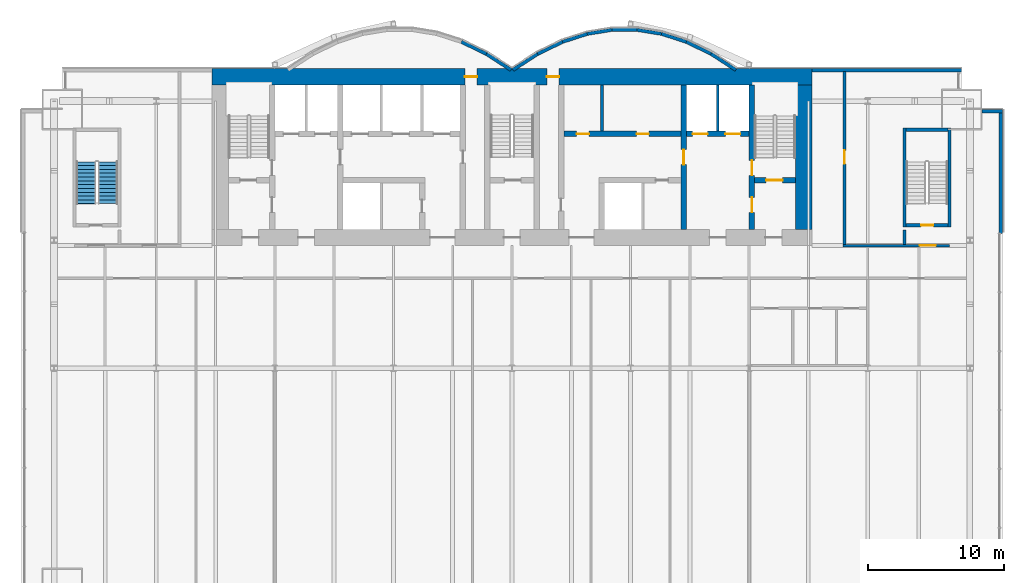
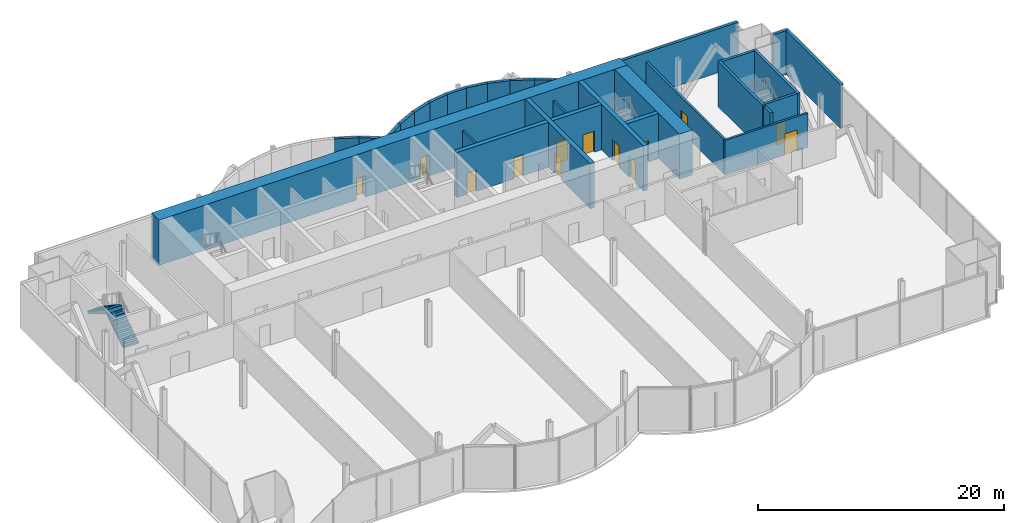
# One storey, part 17 of 21: 29 walls, 13 doors, 2 stair flights, 13 openings, 1 element without a shape of its own.
"""IFC4 building model written with IfcOpenShell, lengths in metres."""

from ifc_helpers import new_model, si_unit, direction, frame, frame_2d, origin, place, context, subcontext, project, spatial, polyline, rectangle, outline, extrude, material, layer, layer_set, layer_usage, type_object, element, fill, aggregate, save


model = new_model("IFC4")

# Units and contexts
model_context = context("Model", 3, precision=1e-05, world=origin(), true_north=direction((0.0, 1.0)))
body_context = subcontext(model_context, "Body", "Model", "MODEL_VIEW")
ifc_project = project(units=[si_unit("LENGTHUNIT", "METRE"), si_unit("AREAUNIT", "SQUARE_METRE"), si_unit("VOLUMEUNIT", "CUBIC_METRE"), si_unit("PLANEANGLEUNIT", "RADIAN"), si_unit("MASSUNIT", "GRAM", prefix="KILO")], contexts=[model_context])

# Site, building, storey
site_placement = place(None, origin())
site = spatial("IfcSite", under=ifc_project, at=site_placement, CompositionType="ELEMENT")
building_placement = place(site_placement, origin())
building = spatial("IfcBuilding", under=site, at=building_placement, Name="Bicima Exchange Tower", CompositionType="ELEMENT")
storey_placement = place(building_placement, frame((0.0, 0.0, 48.5)))
storey = spatial("IfcBuildingStorey", under=building, at=storey_placement, Name="L09", CompositionType="ELEMENT", Elevation=48.5)

# Wall
ifc_material_1 = material(Name="Gypsum board partition")
ifc_layer_1 = layer(ifc_material_1, 0.199951171875)
ifc_layer_set_1 = layer_set([ifc_layer_1], Name="Gypsum board partition")
wall_type_1 = type_object("IfcWallType", Name="Fire-rated gypsum partition 200 EI120", PredefinedType="PARTITIONING", material=ifc_layer_set_1)
wall_1_placement = place(storey_placement, frame((15.10009765625, -4.60009765625, 0.0), z_axis=(0.0, 0.0, 1.0), x_axis=(0.0, 1.0, 0.0)))
element("IfcWall", 1, at=wall_1_placement, inside=storey, type_object=wall_type_1, Name="partition wall 23", PredefinedType="PARTITIONING", context=body_context, shape_type="SweptSolid", body=[
    extrude(rectangle(XDim=3.400146484375, YDim=0.199951171875, at=frame_2d((1.7001953125, 0.0))), origin(), (0.0, 0.0, 1.0), 3.418212890625),
])

# Wall, opening, door
ifc_layer_2 = layer(ifc_material_1, 0.199951171875)
ifc_layer_set_2 = layer_set([ifc_layer_2], Name="Gypsum board partition")
wall_type_2 = type_object("IfcWallType", Name="Fire-rated gypsum partition 200 EI60", PredefinedType="PARTITIONING", material=ifc_layer_set_2)
wall_2_placement = place(storey_placement, frame((24.300048828125, -13.0, 0.0), z_axis=(0.0, 0.0, 1.0), x_axis=(1.0, 0.0, 0.0)))
wall_2 = element("IfcWall", 2, at=wall_2_placement, inside=storey, type_object=wall_type_2, Name="partition wall 5", PredefinedType="PARTITIONING", context=body_context, shape_type="SweptSolid", body=[
    extrude(rectangle(XDim=7.800048828125, YDim=0.199951171875, at=frame_2d((3.89990234375, 0.0))), origin(), (0.0, 0.0, 1.0), 3.418212890625),
])
opening_1_placement = place(wall_2_placement, frame((5.60009765625, 0.0, 0.0)))
opening_1 = element("IfcOpeningElement", 3, at=opening_1_placement, cuts=wall_2, Name="Opening L09-003", PredefinedType="OPENING", context=body_context, shape_type="SweptSolid", body=[
    extrude(rectangle(XDim=1.199951171875, YDim=2.10009765625, at=frame_2d((0.60009765625, 1.050048828125))), frame((0.0, 0.11181640625, 0.0), z_axis=(0.0, -1.0, 0.0), x_axis=(1.0, 0.0, 0.0)), (0.0, 0.0, 1.0), 0.223876953125),
])
ifc_material_2 = material(Name="Steel fire door leaf", Category="steel")
door_type_1 = type_object("IfcDoorType", Name="Door 1200 swing FD30S", OperationType="SINGLE_SWING_LEFT", PredefinedType="DOOR", material=ifc_material_2)
door_1_placement = place(opening_1_placement, origin())
door_1 = element("IfcDoor", 4, at=door_1_placement, inside=storey, type_object=door_type_1, Name="Door", OperationType="SINGLE_SWING_RIGHT", OverallHeight=2.10009765625, OverallWidth=1.199951171875, PredefinedType="DOOR", context=body_context, shape_type="SweptSolid", body=[
    extrude(rectangle(XDim=1.199951171875, YDim=2.10009765625, at=frame_2d((0.60009765625, 1.050048828125))), frame((0.0, 0.02490234375, 0.0), z_axis=(0.0, -1.0, 0.0), x_axis=(1.0, 0.0, 0.0)), (0.0, 0.0, 1.0), 0.050048828125),
])
fill(opening_1, door_1)

wall_3_placement = place(storey_placement, frame((24.39990234375, -12.89990234375, 0.0), z_axis=(0.0, 0.0, 1.0), x_axis=(0.0, 1.0, 0.0)))
wall_3 = element("IfcWall", 5, at=wall_3_placement, inside=storey, type_object=wall_type_2, Name="partition wall 26", PredefinedType="PARTITIONING", context=body_context, shape_type="SweptSolid", body=[
    extrude(rectangle(XDim=12.68994140625, YDim=0.199951171875, at=frame_2d((6.344970703125, 0.0))), origin(), (0.0, 0.0, 1.0), 3.418212890625),
])
opening_2_placement = place(wall_3_placement, frame((5.89990234375, 0.0, 0.0)))
opening_2 = element("IfcOpeningElement", 6, at=opening_2_placement, cuts=wall_3, Name="Opening L09-006", PredefinedType="OPENING", context=body_context, shape_type="SweptSolid", body=[
    extrude(rectangle(XDim=1.0, YDim=2.10009765625, at=frame_2d((0.5, 1.050048828125))), frame((0.0, 0.11181640625, 0.0), z_axis=(0.0, -1.0, 0.0), x_axis=(1.0, 0.0, 0.0)), (0.0, 0.0, 1.0), 0.223876953125),
])
door_type_2 = type_object("IfcDoorType", Name="Door 1000 swing FD30S", OperationType="SINGLE_SWING_LEFT", PredefinedType="DOOR", material=ifc_material_2)
door_2_placement = place(opening_2_placement, frame((1.0, 0.0, 0.0), z_axis=(0.0, 0.0, 1.0), x_axis=(-1.0, 0.0, 0.0)))
door_2 = element("IfcDoor", 7, at=door_2_placement, inside=storey, type_object=door_type_2, Name="Door", OperationType="SINGLE_SWING_RIGHT", OverallHeight=2.10009765625, OverallWidth=1.0, PredefinedType="DOOR", context=body_context, shape_type="SweptSolid", body=[
    extrude(rectangle(XDim=1.0, YDim=2.10009765625, at=frame_2d((0.5, 1.050048828125))), frame((0.0, 0.02490234375, 0.0), z_axis=(0.0, -1.0, 0.0), x_axis=(1.0, 0.0, 0.0)), (0.0, 0.0, 1.0), 0.050048828125),
])
fill(opening_2, door_2)

# Wall
wall_4_placement = place(storey_placement, frame((6.60009765625, -4.60009765625, 0.0), z_axis=(0.0, 0.0, 1.0), x_axis=(0.0, 1.0, 0.0)))
element("IfcWall", 8, at=wall_4_placement, inside=storey, type_object=wall_type_2, Name="partition wall 20", PredefinedType="PARTITIONING", context=body_context, shape_type="SweptSolid", body=[
    extrude(rectangle(XDim=3.400146484375, YDim=0.199951171875, at=frame_2d((1.7001953125, 0.0))), origin(), (0.0, 0.0, 1.0), 3.418212890625),
])

# Wall, openings, doors
ifc_material_3 = material(Name="Concrete C60/75", Category="concrete")
ifc_layer_3 = layer(ifc_material_3, 1.199951171875)
ifc_layer_set_3 = layer_set([ifc_layer_3], Name="Concrete C60/75")
wall_type_3 = type_object("IfcWallType", Name="RC core wall 1200 C60/75", PredefinedType="SHEAR", material=ifc_layer_set_3)
wall_5_placement = place(storey_placement, frame((-22.0, -0.60009765625, 0.0), z_axis=(0.0, 0.0, 1.0), x_axis=(1.0, 0.0, 0.0)))
wall_5 = element("IfcWall", 9, at=wall_5_placement, inside=storey, type_object=wall_type_3, Name="Core wall north", PredefinedType="SHEAR", context=body_context, shape_type="SweptSolid", body=[
    extrude(rectangle(XDim=44.0, YDim=1.199951171875, at=frame_2d((22.0, 0.0))), origin(), (0.0, 0.0, 1.0), 4.5),
])
opening_3_placement = place(wall_5_placement, frame((18.550048828125, 0.0, 0.0)))
opening_3 = element("IfcOpeningElement", 10, at=opening_3_placement, cuts=wall_5, Name="Opening L09-C16", PredefinedType="OPENING", context=body_context, shape_type="SweptSolid", body=[
    extrude(rectangle(XDim=0.89990234375, YDim=2.10009765625, at=frame_2d((0.449951171875, 1.050048828125))), frame((0.0, 0.61181640625, 0.0), z_axis=(0.0, -1.0, 0.0), x_axis=(1.0, 0.0, 0.0)), (0.0, 0.0, 1.0), 1.223876953125),
])
opening_4_placement = place(wall_5_placement, frame((24.550048828125, 0.0, 0.0)))
opening_4 = element("IfcOpeningElement", 11, at=opening_4_placement, cuts=wall_5, Name="Opening L09-C17", PredefinedType="OPENING", context=body_context, shape_type="SweptSolid", body=[
    extrude(rectangle(XDim=0.89990234375, YDim=2.10009765625, at=frame_2d((0.449951171875, 1.050048828125))), frame((0.0, 0.61181640625, 0.0), z_axis=(0.0, -1.0, 0.0), x_axis=(1.0, 0.0, 0.0)), (0.0, 0.0, 1.0), 1.223876953125),
])
door_type_3 = type_object("IfcDoorType", Name="Door 900 swing FD30S", OperationType="SINGLE_SWING_LEFT", PredefinedType="DOOR", material=ifc_material_2)
door_3_placement = place(opening_3_placement, origin())
door_3 = element("IfcDoor", 12, at=door_3_placement, inside=storey, type_object=door_type_3, Name="Core door", OperationType="SINGLE_SWING_LEFT", OverallHeight=2.10009765625, OverallWidth=0.89990234375, PredefinedType="DOOR", context=body_context, shape_type="SweptSolid", body=[
    extrude(rectangle(XDim=0.89990234375, YDim=2.10009765625, at=frame_2d((0.449951171875, 1.050048828125))), frame((0.0, 0.02490234375, 0.0), z_axis=(0.0, -1.0, 0.0), x_axis=(1.0, 0.0, 0.0)), (0.0, 0.0, 1.0), 0.050048828125),
])
fill(opening_3, door_3)
door_4_placement = place(opening_4_placement, origin())
door_4 = element("IfcDoor", 13, at=door_4_placement, inside=storey, type_object=door_type_3, Name="Core door", OperationType="SINGLE_SWING_LEFT", OverallHeight=2.10009765625, OverallWidth=0.89990234375, PredefinedType="DOOR", context=body_context, shape_type="SweptSolid", body=[
    extrude(rectangle(XDim=0.89990234375, YDim=2.10009765625, at=frame_2d((0.449951171875, 1.050048828125))), frame((0.0, 0.02490234375, 0.0), z_axis=(0.0, -1.0, 0.0), x_axis=(1.0, 0.0, 0.0)), (0.0, 0.0, 1.0), 0.050048828125),
])
fill(opening_4, door_4)

# Walls
wall_6_placement = place(storey_placement, frame((21.39990234375, -11.800048828125, 0.0), z_axis=(0.0, 0.0, 1.0), x_axis=(0.0, 1.0, 0.0)))
element("IfcWall", 14, at=wall_6_placement, inside=storey, type_object=wall_type_3, Name="Core wall east", PredefinedType="SHEAR", context=body_context, shape_type="SweptSolid", body=[
    extrude(rectangle(XDim=10.60009765625, YDim=1.199951171875, at=frame_2d((5.300048828125, 0.0))), origin(), (0.0, 0.0, 1.0), 4.5),
])
ifc_material_4 = material(Name="Concrete C50/60", Category="concrete")
ifc_layer_4 = layer(ifc_material_4, 0.25)
ifc_layer_set_4 = layer_set([ifc_layer_4], Name="Concrete C50/60")
wall_type_4 = type_object("IfcWallType", Name="RC core wall 250 C50/60", PredefinedType="SHEAR", material=ifc_layer_set_4)
wall_7_placement = place(storey_placement, frame((28.800048828125, -12.89990234375, 0.0), z_axis=(0.0, 0.0, 1.0), x_axis=(0.0, 1.0, 0.0)))
element("IfcWall", 15, at=wall_7_placement, inside=storey, type_object=wall_type_4, Name="stair wall 28", PredefinedType="SHEAR", context=body_context, shape_type="SweptSolid", body=[
    extrude(rectangle(XDim=1.0498046875, YDim=0.25, at=frame_2d((0.52490234375, 0.0))), origin(), (0.0, 0.0, 1.0), 4.5),
])

# Wall, opening, door
ifc_layer_5 = layer(ifc_material_4, 0.39990234375)
ifc_layer_set_5 = layer_set([ifc_layer_5], Name="Concrete C50/60")
wall_type_5 = type_object("IfcWallType", Name="RC core wall 400 C50/60", PredefinedType="SHEAR", material=ifc_layer_set_5)
wall_8_placement = place(storey_placement, frame((17.800048828125, -8.199951171875, 0.0), z_axis=(0.0, 0.0, 1.0), x_axis=(1.0, 0.0, 0.0)))
wall_8 = element("IfcWall", 16, at=wall_8_placement, inside=storey, type_object=wall_type_5, Name="stair wall 5", PredefinedType="SHEAR", context=body_context, shape_type="SweptSolid", body=[
    extrude(rectangle(XDim=3.0, YDim=0.39990234375, at=frame_2d((1.5, 0.0))), origin(), (0.0, 0.0, 1.0), 4.5),
])
opening_5_placement = place(wall_8_placement, frame((0.85009765625, 0.0, 0.0)))
opening_5 = element("IfcOpeningElement", 17, at=opening_5_placement, cuts=wall_8, Name="Opening L09-C04", PredefinedType="OPENING", context=body_context, shape_type="SweptSolid", body=[
    extrude(rectangle(XDim=1.199951171875, YDim=2.10009765625, at=frame_2d((0.60009765625, 1.050048828125))), frame((0.0, 0.2119140625, 0.0), z_axis=(0.0, -1.0, 0.0), x_axis=(1.0, 0.0, 0.0)), (0.0, 0.0, 1.0), 0.423828125),
])
door_type_4 = type_object("IfcDoorType", Name="Door 1200 swing FD60S", OperationType="SINGLE_SWING_LEFT", PredefinedType="DOOR", material=ifc_material_2)
door_5_placement = place(opening_5_placement, origin())
door_5 = element("IfcDoor", 18, at=door_5_placement, inside=storey, type_object=door_type_4, Name="Core door", OperationType="SINGLE_SWING_RIGHT", OverallHeight=2.10009765625, OverallWidth=1.199951171875, PredefinedType="DOOR", context=body_context, shape_type="SweptSolid", body=[
    extrude(rectangle(XDim=1.199951171875, YDim=2.10009765625, at=frame_2d((0.60009765625, 1.050048828125))), frame((0.0, 0.02490234375, 0.0), z_axis=(0.0, -1.0, 0.0), x_axis=(1.0, 0.0, 0.0)), (0.0, 0.0, 1.0), 0.050048828125),
])
fill(opening_5, door_5)

# Wall, openings, doors
wall_9_placement = place(storey_placement, frame((17.60009765625, -11.800048828125, 0.0), z_axis=(0.0, 0.0, 1.0), x_axis=(0.0, 1.0, 0.0)))
wall_9 = element("IfcWall", 19, at=wall_9_placement, inside=storey, type_object=wall_type_5, Name="stair wall 24", PredefinedType="SHEAR", context=body_context, shape_type="SweptSolid", body=[
    extrude(rectangle(XDim=10.60009765625, YDim=0.39990234375, at=frame_2d((5.300048828125, 0.0))), origin(), (0.0, 0.0, 1.0), 4.5),
])
opening_6_placement = place(wall_9_placement, frame((1.25, 0.0, 0.0)))
opening_6 = element("IfcOpeningElement", 20, at=opening_6_placement, cuts=wall_9, Name="Opening L09-C05", PredefinedType="OPENING", context=body_context, shape_type="SweptSolid", body=[
    extrude(rectangle(XDim=1.10009765625, YDim=2.10009765625, at=frame_2d((0.550048828125, 1.050048828125))), frame((0.0, 0.2119140625, 0.0), z_axis=(0.0, -1.0, 0.0), x_axis=(1.0, 0.0, 0.0)), (0.0, 0.0, 1.0), 0.423828125),
])
opening_7_placement = place(wall_9_placement, frame((3.949951171875, 0.0, 0.0)))
opening_7 = element("IfcOpeningElement", 21, at=opening_7_placement, cuts=wall_9, Name="Opening L09-C08", PredefinedType="OPENING", context=body_context, shape_type="SweptSolid", body=[
    extrude(rectangle(XDim=1.10009765625, YDim=2.10009765625, at=frame_2d((0.550048828125, 1.050048828125))), frame((0.0, 0.2119140625, 0.0), z_axis=(0.0, -1.0, 0.0), x_axis=(1.0, 0.0, 0.0)), (0.0, 0.0, 1.0), 0.423828125),
])
door_type_5 = type_object("IfcDoorType", Name="Door 1100 swing FD60S", OperationType="SINGLE_SWING_LEFT", PredefinedType="DOOR", material=ifc_material_2)
door_6_placement = place(opening_6_placement, origin())
door_6 = element("IfcDoor", 22, at=door_6_placement, inside=storey, type_object=door_type_5, Name="Core door", OperationType="SINGLE_SWING_LEFT", OverallHeight=2.10009765625, OverallWidth=1.10009765625, PredefinedType="DOOR", context=body_context, shape_type="SweptSolid", body=[
    extrude(rectangle(XDim=1.10009765625, YDim=2.10009765625, at=frame_2d((0.550048828125, 1.050048828125))), frame((0.0, 0.02490234375, 0.0), z_axis=(0.0, -1.0, 0.0), x_axis=(1.0, 0.0, 0.0)), (0.0, 0.0, 1.0), 0.050048828125),
])
fill(opening_6, door_6)
door_7_placement = place(opening_7_placement, origin())
door_7 = element("IfcDoor", 23, at=door_7_placement, inside=storey, type_object=door_type_5, Name="Core door", OperationType="SINGLE_SWING_RIGHT", OverallHeight=2.10009765625, OverallWidth=1.10009765625, PredefinedType="DOOR", context=body_context, shape_type="SweptSolid", body=[
    extrude(rectangle(XDim=1.10009765625, YDim=2.10009765625, at=frame_2d((0.550048828125, 1.050048828125))), frame((0.0, 0.02490234375, 0.0), z_axis=(0.0, -1.0, 0.0), x_axis=(1.0, 0.0, 0.0)), (0.0, 0.0, 1.0), 0.050048828125),
])
fill(opening_7, door_7)

ifc_layer_6 = layer(ifc_material_3, 0.39990234375)
ifc_layer_set_6 = layer_set([ifc_layer_6], Name="Concrete C60/75")
wall_type_6 = type_object("IfcWallType", Name="RC core wall 400 C60/75", PredefinedType="SHEAR", material=ifc_layer_set_6)
wall_10_placement = place(storey_placement, frame((3.800048828125, -4.800048828125, 0.0), z_axis=(0.0, 0.0, 1.0), x_axis=(1.0, 0.0, 0.0)))
wall_10 = element("IfcWall", 24, at=wall_10_placement, inside=storey, type_object=wall_type_6, Name="shear wall 7", PredefinedType="SHEAR", context=body_context, shape_type="SweptSolid", body=[
    extrude(rectangle(XDim=13.599853515625, YDim=0.39990234375, at=frame_2d((6.7998046875, 0.0))), origin(), (0.0, 0.0, 1.0), 4.5),
])
opening_8_placement = place(wall_10_placement, frame((9.449951171875, 0.0, 0.0)))
opening_8 = element("IfcOpeningElement", 25, at=opening_8_placement, cuts=wall_10, Name="Opening LD-FF2-L09", PredefinedType="OPENING", context=body_context, shape_type="SweptSolid", body=[
    extrude(rectangle(XDim=1.10009765625, YDim=2.10009765625, at=frame_2d((0.550048828125, 1.050048828125))), frame((0.0, 0.2119140625, 0.0), z_axis=(0.0, -1.0, 0.0), x_axis=(1.0, 0.0, 0.0)), (0.0, 0.0, 1.0), 0.423828125),
])
opening_9_placement = place(wall_10_placement, frame((11.85009765625, 0.0, 0.0)))
opening_9 = element("IfcOpeningElement", 26, at=opening_9_placement, cuts=wall_10, Name="Opening LD-SV1-L09", PredefinedType="OPENING", context=body_context, shape_type="SweptSolid", body=[
    extrude(rectangle(XDim=1.10009765625, YDim=2.10009765625, at=frame_2d((0.550048828125, 1.050048828125))), frame((0.0, 0.2119140625, 0.0), z_axis=(0.0, -1.0, 0.0), x_axis=(1.0, 0.0, 0.0)), (0.0, 0.0, 1.0), 0.423828125),
])
opening_10_placement = place(wall_10_placement, frame((0.949951171875, 0.0, 0.0)))
opening_10 = element("IfcOpeningElement", 27, at=opening_10_placement, cuts=wall_10, Name="Opening L09-C12", PredefinedType="OPENING", context=body_context, shape_type="SweptSolid", body=[
    extrude(rectangle(XDim=0.89990234375, YDim=2.10009765625, at=frame_2d((0.449951171875, 1.050048828125))), frame((0.0, 0.2119140625, 0.0), z_axis=(0.0, -1.0, 0.0), x_axis=(1.0, 0.0, 0.0)), (0.0, 0.0, 1.0), 0.423828125),
])
opening_11_placement = place(wall_10_placement, frame((5.35009765625, 0.0, 0.0)))
opening_11 = element("IfcOpeningElement", 28, at=opening_11_placement, cuts=wall_10, Name="Opening L09-C13", PredefinedType="OPENING", context=body_context, shape_type="SweptSolid", body=[
    extrude(rectangle(XDim=0.89990234375, YDim=2.10009765625, at=frame_2d((0.449951171875, 1.050048828125))), frame((0.0, 0.2119140625, 0.0), z_axis=(0.0, -1.0, 0.0), x_axis=(1.0, 0.0, 0.0)), (0.0, 0.0, 1.0), 0.423828125),
])
door_8_placement = place(opening_10_placement, origin())
door_8 = element("IfcDoor", 29, at=door_8_placement, inside=storey, type_object=door_type_3, Name="Core door", OperationType="SINGLE_SWING_RIGHT", OverallHeight=2.10009765625, OverallWidth=0.89990234375, PredefinedType="DOOR", context=body_context, shape_type="SweptSolid", body=[
    extrude(rectangle(XDim=0.89990234375, YDim=2.10009765625, at=frame_2d((0.449951171875, 1.050048828125))), frame((0.0, 0.02490234375, 0.0), z_axis=(0.0, -1.0, 0.0), x_axis=(1.0, 0.0, 0.0)), (0.0, 0.0, 1.0), 0.050048828125),
])
fill(opening_10, door_8)
door_9_placement = place(opening_11_placement, origin())
door_9 = element("IfcDoor", 30, at=door_9_placement, inside=storey, type_object=door_type_3, Name="Core door", OperationType="SINGLE_SWING_LEFT", OverallHeight=2.10009765625, OverallWidth=0.89990234375, PredefinedType="DOOR", context=body_context, shape_type="SweptSolid", body=[
    extrude(rectangle(XDim=0.89990234375, YDim=2.10009765625, at=frame_2d((0.449951171875, 1.050048828125))), frame((0.0, 0.02490234375, 0.0), z_axis=(0.0, -1.0, 0.0), x_axis=(1.0, 0.0, 0.0)), (0.0, 0.0, 1.0), 0.050048828125),
])
fill(opening_11, door_9)
ifc_material_5 = material(Name="Stainless steel", Category="steel")
door_type_6 = type_object("IfcDoorType", Name="Lift landing door 1100 sliding", OperationType="DOUBLE_DOOR_SLIDING", PredefinedType="DOOR", material=ifc_material_5)
door_10_placement = place(opening_8_placement, origin())
door_10 = element("IfcDoor", 31, at=door_10_placement, inside=storey, type_object=door_type_6, Name="Lift landing door FF2", OperationType="DOUBLE_DOOR_SLIDING", OverallHeight=2.10009765625, OverallWidth=1.10009765625, PredefinedType="DOOR", context=body_context, shape_type="SweptSolid", body=[
    extrude(rectangle(XDim=1.10009765625, YDim=2.10009765625, at=frame_2d((0.550048828125, 1.050048828125))), frame((0.0, 0.02490234375, 0.0), z_axis=(0.0, -1.0, 0.0), x_axis=(1.0, 0.0, 0.0)), (0.0, 0.0, 1.0), 0.050048828125),
])
fill(opening_8, door_10)
door_11_placement = place(opening_9_placement, origin())
door_11 = element("IfcDoor", 32, at=door_11_placement, inside=storey, type_object=door_type_6, Name="Lift landing door SV1", OperationType="DOUBLE_DOOR_SLIDING", OverallHeight=2.10009765625, OverallWidth=1.10009765625, PredefinedType="DOOR", context=body_context, shape_type="SweptSolid", body=[
    extrude(rectangle(XDim=1.10009765625, YDim=2.10009765625, at=frame_2d((0.550048828125, 1.050048828125))), frame((0.0, 0.02490234375, 0.0), z_axis=(0.0, -1.0, 0.0), x_axis=(1.0, 0.0, 0.0)), (0.0, 0.0, 1.0), 0.050048828125),
])
fill(opening_9, door_11)

# Wall, opening, door
wall_11_placement = place(storey_placement, frame((12.60009765625, -11.800048828125, 0.0), z_axis=(0.0, 0.0, 1.0), x_axis=(0.0, 1.0, 0.0)))
wall_11 = element("IfcWall", 33, at=wall_11_placement, inside=storey, type_object=wall_type_6, Name="shear wall 22", PredefinedType="SHEAR", context=body_context, shape_type="SweptSolid", body=[
    extrude(rectangle(XDim=10.60009765625, YDim=0.39990234375, at=frame_2d((5.300048828125, 0.0))), origin(), (0.0, 0.0, 1.0), 4.5),
])
opening_12_placement = place(wall_11_placement, frame((4.75, 0.0, 0.0)))
opening_12 = element("IfcOpeningElement", 34, at=opening_12_placement, cuts=wall_11, Name="Opening L09-C09", PredefinedType="OPENING", context=body_context, shape_type="SweptSolid", body=[
    extrude(rectangle(XDim=1.10009765625, YDim=2.10009765625, at=frame_2d((0.550048828125, 1.050048828125))), frame((0.0, 0.2119140625, 0.0), z_axis=(0.0, -1.0, 0.0), x_axis=(1.0, 0.0, 0.0)), (0.0, 0.0, 1.0), 0.423828125),
])
door_12_placement = place(opening_12_placement, frame((1.10009765625, 0.0, 0.0), z_axis=(0.0, 0.0, 1.0), x_axis=(-1.0, 0.0, 0.0)))
door_12 = element("IfcDoor", 35, at=door_12_placement, inside=storey, type_object=door_type_5, Name="Core door", OperationType="SINGLE_SWING_RIGHT", OverallHeight=2.10009765625, OverallWidth=1.10009765625, PredefinedType="DOOR", context=body_context, shape_type="SweptSolid", body=[
    extrude(rectangle(XDim=1.10009765625, YDim=2.10009765625, at=frame_2d((0.550048828125, 1.050048828125))), frame((0.0, 0.02490234375, 0.0), z_axis=(0.0, -1.0, 0.0), x_axis=(1.0, 0.0, 0.0)), (0.0, 0.0, 1.0), 0.050048828125),
])
fill(opening_12, door_12)

# Walls
ifc_layer_7 = layer(ifc_material_4, 0.25)
ifc_layer_set_7 = layer_set([ifc_layer_7], Name="Concrete C50/60")
wall_type_7 = type_object("IfcWallType", Name="RC stair enclosure wall 250 C50/60", PredefinedType="SHEAR", material=ifc_layer_set_7)
for number, where, z_axis, x_axis, name in (
    (36, (28.800048828125, -11.625, 0.0), (0.0, 0.0, 1.0), (0.0, 1.0, 0.0), "East end exit stair wall W"),
    (37, (32.10009765625, -11.625, 0.0), (0.0, 0.0, 1.0), (0.0, 1.0, 0.0), "East end exit stair wall E"),
):
    element("IfcWall", number, at=place(storey_placement, frame(where, z_axis=z_axis, x_axis=x_axis)), inside=storey, type_object=wall_type_7, Name=name, PredefinedType="SHEAR", context=body_context, shape_type="SweptSolid", body=[
        extrude(rectangle(XDim=7.25, YDim=0.25, at=frame_2d((3.625, 0.0))), origin(), (0.0, 0.0, 1.0), 4.5),
    ])

# Wall, opening, door
wall_12_placement = place(storey_placement, frame((28.925048828125, -11.5, 0.0), z_axis=(0.0, 0.0, 1.0), x_axis=(1.0, 0.0, 0.0)))
wall_12 = element("IfcWall", 38, at=wall_12_placement, inside=storey, type_object=wall_type_7, Name="East end exit stair wall S", PredefinedType="SHEAR", context=body_context, shape_type="SweptSolid", body=[
    extrude(rectangle(XDim=3.050048828125, YDim=0.25, at=frame_2d((1.52490234375, 0.0))), origin(), (0.0, 0.0, 1.0), 4.5),
])
opening_13_placement = place(wall_12_placement, frame((1.10009765625, 0.0, 0.0)))
opening_13 = element("IfcOpeningElement", 39, at=opening_13_placement, cuts=wall_12, Name="Opening L09-004", PredefinedType="OPENING", context=body_context, shape_type="SweptSolid", body=[
    extrude(rectangle(XDim=0.89990234375, YDim=2.10009765625, at=frame_2d((0.449951171875, 1.050048828125))), frame((0.0, 0.136962890625, 0.0), z_axis=(0.0, -1.0, 0.0), x_axis=(1.0, 0.0, 0.0)), (0.0, 0.0, 1.0), 0.27392578125),
])
door_type_7 = type_object("IfcDoorType", Name="Door 900 swing FD60S", OperationType="SINGLE_SWING_LEFT", PredefinedType="DOOR", material=ifc_material_2)
door_13_placement = place(opening_13_placement, origin())
door_13 = element("IfcDoor", 40, at=door_13_placement, inside=storey, type_object=door_type_7, Name="Door", OperationType="SINGLE_SWING_LEFT", OverallHeight=2.10009765625, OverallWidth=0.89990234375, PredefinedType="DOOR", context=body_context, shape_type="SweptSolid", body=[
    extrude(rectangle(XDim=0.89990234375, YDim=2.10009765625, at=frame_2d((0.449951171875, 1.050048828125))), frame((0.0, 0.02490234375, 0.0), z_axis=(0.0, -1.0, 0.0), x_axis=(1.0, 0.0, 0.0)), (0.0, 0.0, 1.0), 0.050048828125),
])
fill(opening_13, door_13)

# Walls
wall_13_placement = place(storey_placement, frame((28.925048828125, -4.5, 0.0), z_axis=(0.0, 0.0, 1.0), x_axis=(1.0, 0.0, 0.0)))
element("IfcWall", 41, at=wall_13_placement, inside=storey, type_object=wall_type_7, Name="East end exit stair wall N", PredefinedType="SHEAR", context=body_context, shape_type="SweptSolid", body=[
    extrude(rectangle(XDim=3.050048828125, YDim=0.25, at=frame_2d((1.52490234375, 0.0))), origin(), (0.0, 0.0, 1.0), 4.5),
])
ifc_material_6 = material(Name="Concrete C40/50", Category="concrete")
ifc_layer_8 = layer(ifc_material_6, 0.25)
ifc_layer_set_8 = layer_set([ifc_layer_8], Name="Concrete C40/50")
ifc_layer_usage = layer_usage(ifc_layer_set_8, "AXIS2", "POSITIVE", -0.125)
wall_type_8 = type_object("IfcWallType", Name="Rear backup wall 250", PredefinedType="STANDARD", material=ifc_layer_set_8)
wall_14_placement = place(storey_placement, frame((33.0, -0.125, 0.0), z_axis=(0.0, 0.0, 1.0), x_axis=(-1.0, 0.0, 0.0)))
element("IfcWall", 42, at=wall_14_placement, inside=storey, type_object=wall_type_8, material=ifc_layer_usage, Name="Rear backup wall L09 1", PredefinedType="STANDARD", context=body_context, shape_type="SweptSolid", body=[
    extrude(rectangle(XDim=11.0, YDim=0.25, at=frame_2d((5.5, 0.0))), origin(), (0.0, 0.0, 1.0), 4.35009765625),
])
wall_15_placement = place(storey_placement, frame((16.43212890625, -0.10498046875, 0.0), z_axis=(0.0, 0.0, 1.0), x_axis=(-0.83981312244, 0.542875602121, 0.0)))
element("IfcWall", 43, at=wall_15_placement, inside=storey, type_object=wall_type_8, material=ifc_layer_usage, Name="Rear backup wall L09 2", PredefinedType="STANDARD", context=body_context, shape_type="SweptSolid", body=[
    extrude(rectangle(XDim=2.182861328125, YDim=0.25, at=frame_2d((1.09130859375, 0.0))), origin(), (0.0, 0.0, 1.0), 4.35009765625),
])
wall_16_placement = place(storey_placement, frame((14.6123046875, 1.07275390625, 0.0), z_axis=(0.0, 0.0, 1.0), x_axis=(-0.89982408427, 0.436252928206, 0.0)))
element("IfcWall", 44, at=wall_16_placement, inside=storey, type_object=wall_type_8, material=ifc_layer_usage, Name="Rear backup wall L09 3", PredefinedType="STANDARD", context=body_context, shape_type="SweptSolid", body=[
    extrude(rectangle(XDim=2.03759765625, YDim=0.25, at=frame_2d((1.018798828125, 0.0))), origin(), (0.0, 0.0, 1.0), 4.35009765625),
])
wall_17_placement = place(storey_placement, frame((12.794921875, 1.955078125, 0.0), z_axis=(0.0, 0.0, 1.0), x_axis=(-0.951495806175, 0.307661714928, 0.0)))
element("IfcWall", 45, at=wall_17_placement, inside=storey, type_object=wall_type_8, material=ifc_layer_usage, Name="Rear backup wall L09 4", PredefinedType="STANDARD", context=body_context, shape_type="SweptSolid", body=[
    extrude(rectangle(XDim=1.9267578125, YDim=0.25, at=frame_2d((0.96337890625, 0.0))), origin(), (0.0, 0.0, 1.0), 4.35009765625),
])
wall_18_placement = place(storey_placement, frame((10.97998046875, 2.543212890625, 0.0), z_axis=(0.0, 0.0, 1.0), x_axis=(-0.987181718931, 0.159600293885, 0.0)))
element("IfcWall", 46, at=wall_18_placement, inside=storey, type_object=wall_type_8, material=ifc_layer_usage, Name="Rear backup wall L09 5", PredefinedType="STANDARD", context=body_context, shape_type="SweptSolid", body=[
    extrude(rectangle(XDim=1.857177734375, YDim=0.25, at=frame_2d((0.9287109375, 0.0))), origin(), (0.0, 0.0, 1.0), 4.35009765625),
])
wall_19_placement = place(storey_placement, frame((9.166748046875, 2.837890625, 0.0), z_axis=(0.0, 0.0, 1.0), x_axis=(-1.0, 0.0, 0.0)))
element("IfcWall", 47, at=wall_19_placement, inside=storey, type_object=wall_type_8, material=ifc_layer_usage, Name="Rear backup wall L09 6", PredefinedType="STANDARD", context=body_context, shape_type="SweptSolid", body=[
    extrude(rectangle(XDim=1.83349609375, YDim=0.25, at=frame_2d((0.916748046875, 0.0))), origin(), (0.0, 0.0, 1.0), 4.35009765625),
])
wall_20_placement = place(storey_placement, frame((7.353271484375, 2.839599609375, 0.0), z_axis=(0.0, 0.0, 1.0), x_axis=(-0.987181718931, -0.159600293885, 0.0)))
element("IfcWall", 48, at=wall_20_placement, inside=storey, type_object=wall_type_8, material=ifc_layer_usage, Name="Rear backup wall L09 7", PredefinedType="STANDARD", context=body_context, shape_type="SweptSolid", body=[
    extrude(rectangle(XDim=1.857177734375, YDim=0.25, at=frame_2d((0.9287109375, 0.0))), origin(), (0.0, 0.0, 1.0), 4.35009765625),
])
wall_21_placement = place(storey_placement, frame((5.538330078125, 2.5478515625, 0.0), z_axis=(0.0, 0.0, 1.0), x_axis=(-0.951495806175, -0.307661714928, 0.0)))
element("IfcWall", 49, at=wall_21_placement, inside=storey, type_object=wall_type_8, material=ifc_layer_usage, Name="Rear backup wall L09 8", PredefinedType="STANDARD", context=body_context, shape_type="SweptSolid", body=[
    extrude(rectangle(XDim=1.9267578125, YDim=0.25, at=frame_2d((0.96337890625, 0.0))), origin(), (0.0, 0.0, 1.0), 4.35009765625),
])
wall_22_placement = place(storey_placement, frame((3.72119140625, 1.961669921875, 0.0), z_axis=(0.0, 0.0, 1.0), x_axis=(-0.89982408427, -0.436252928206, 0.0)))
element("IfcWall", 50, at=wall_22_placement, inside=storey, type_object=wall_type_8, material=ifc_layer_usage, Name="Rear backup wall L09 9", PredefinedType="STANDARD", context=body_context, shape_type="SweptSolid", body=[
    extrude(rectangle(XDim=2.03759765625, YDim=0.25, at=frame_2d((1.018798828125, 0.0))), origin(), (0.0, 0.0, 1.0), 4.35009765625),
])
for number, where, z_axis, x_axis, name in (
    (51, (1.901123046875, 1.080078125, 0.0), (0.0, 0.0, 1.0), (-0.83981312244, -0.542875602121, 0.0), "Rear backup wall L09 10"),
    (52, (-0.06787109375, -0.10498046875, 0.0), (0.0, 0.0, 1.0), (-0.83981312244, 0.542875602121, 0.0), "Rear backup wall L09 11"),
):
    element("IfcWall", number, at=place(storey_placement, frame(where, z_axis=z_axis, x_axis=x_axis)), inside=storey, type_object=wall_type_8, material=ifc_layer_usage, Name=name, PredefinedType="STANDARD", context=body_context, shape_type="SweptSolid", body=[
        extrude(rectangle(XDim=2.182861328125, YDim=0.25, at=frame_2d((1.09130859375, 0.0))), origin(), (0.0, 0.0, 1.0), 4.35009765625),
    ])
wall_23_placement = place(storey_placement, frame((-1.8876953125, 1.07275390625, 0.0), z_axis=(0.0, 0.0, 1.0), x_axis=(-0.89982408427, 0.436252928206, 0.0)))
element("IfcWall", 53, at=wall_23_placement, inside=storey, type_object=wall_type_8, material=ifc_layer_usage, Name="Rear backup wall L09 12", PredefinedType="STANDARD", context=body_context, shape_type="SweptSolid", body=[
    extrude(rectangle(XDim=2.03759765625, YDim=0.25, at=frame_2d((1.018798828125, 0.0))), origin(), (0.0, 0.0, 1.0), 4.35009765625),
])
wall_24_placement = place(storey_placement, frame((35.875, -12.090087890625, 0.0), z_axis=(0.0, 0.0, 1.0), x_axis=(0.0, 1.0, 0.0)))
element("IfcWall", 54, at=wall_24_placement, inside=storey, type_object=wall_type_8, material=ifc_layer_usage, Name="Rear backup wall L09 50", PredefinedType="STANDARD", context=body_context, shape_type="SweptSolid", body=[
    extrude(rectangle(XDim=9.090087890625, YDim=0.25, at=frame_2d((4.544921875, 0.0))), origin(), (0.0, 0.0, 1.0), 4.35009765625),
])
wall_25_placement = place(storey_placement, frame((36.0, -3.125, 0.0), z_axis=(0.0, 0.0, 1.0), x_axis=(-1.0, 0.0, 0.0)))
element("IfcWall", 55, at=wall_25_placement, inside=storey, type_object=wall_type_8, material=ifc_layer_usage, Name="Rear backup wall L09 51", PredefinedType="STANDARD", context=body_context, shape_type="SweptSolid", body=[
    extrude(rectangle(XDim=1.5, YDim=0.25, at=frame_2d((0.75, 0.0))), origin(), (0.0, 0.0, 1.0), 4.35009765625),
])

# Stair, stair flights
stair_type = type_object("IfcStairType", Name="Exit stair", PredefinedType="HALF_TURN_STAIR", material=ifc_material_4)
stair_placement = place(storey_placement, origin())
stair = element("IfcStair", 56, at=stair_placement, inside=storey, type_object=stair_type, Name="L09 West end exit stair", PredefinedType="HALF_TURN_STAIR")
stair_flight_type = type_object("IfcStairFlightType", Name="Stair flight RC", PredefinedType="STRAIGHT", material=ifc_material_4)
stair_flight_1_placement = place(storey_placement, frame((-29.64990234375, -9.925048828125, 0.0), z_axis=(0.0, 0.0, 1.0), x_axis=(0.0, 1.0, 0.0)))
stair_flight_1 = element("IfcStairFlight", 57, at=stair_flight_1_placement, type_object=stair_flight_type, Name="ST-WW flight 1", NumberOfRisers=12, NumberOfTreads=11, PredefinedType="STRAIGHT", RiserHeight=0.1875, TreadLength=0.28, context=body_context, shape_type="SweptSolid", body=[
    extrude(outline(polyline([(0.0, 0.0), (0.0, 0.1875), (0.280029296875, 0.1875), (0.280029296875, 0.375), (0.56005859375, 0.375), (0.56005859375, 0.5625), (0.840087890625, 0.5625), (0.840087890625, 0.75), (1.1201171875, 0.75), (1.1201171875, 0.9375), (1.39990234375, 0.9375), (1.39990234375, 1.125), (1.679931640625, 1.125), (1.679931640625, 1.3125), (1.9599609375, 1.3125), (1.9599609375, 1.5), (2.239990234375, 1.5), (2.239990234375, 1.6875), (2.52001953125, 1.6875), (2.52001953125, 1.875), (2.800048828125, 1.875), (2.800048828125, 2.0625), (3.080078125, 2.0625), (3.080078125, 2.25), (3.080078125, 1.882080078125), (0.26953125, 0.0), (0.0, 0.0)])), frame((0.0, 0.72509765625, 0.0), z_axis=(0.0, -1.0, 0.0), x_axis=(1.0, 0.0, 0.0)), (0.0, 0.0, 1.0), 1.449951171875),
])
stair_flight_2_placement = place(storey_placement, frame((-31.25, -6.844970703125, 2.25), z_axis=(0.0, 0.0, 1.0), x_axis=(0.0, -1.0, 0.0)))
stair_flight_2 = element("IfcStairFlight", 58, at=stair_flight_2_placement, type_object=stair_flight_type, Name="ST-WW flight 2", NumberOfRisers=12, NumberOfTreads=11, PredefinedType="STRAIGHT", RiserHeight=0.1875, TreadLength=0.28, context=body_context, shape_type="SweptSolid", body=[
    extrude(outline(polyline([(0.0, 0.0), (0.0, 0.1875), (0.280029296875, 0.1875), (0.280029296875, 0.375), (0.56005859375, 0.375), (0.56005859375, 0.5625), (0.840087890625, 0.5625), (0.840087890625, 0.75), (1.1201171875, 0.75), (1.1201171875, 0.9375), (1.39990234375, 0.9375), (1.39990234375, 1.125), (1.679931640625, 1.125), (1.679931640625, 1.3125), (1.9599609375, 1.3125), (1.9599609375, 1.5), (2.239990234375, 1.5), (2.239990234375, 1.6875), (2.52001953125, 1.6875), (2.52001953125, 1.875), (2.800048828125, 1.875), (2.800048828125, 2.0625), (3.080078125, 2.0625), (3.080078125, 2.10400390625), (3.094970703125, 2.10400390625), (3.094970703125, 1.70458984375), (0.26953125, 0.0), (0.0, 0.0)])), frame((0.0, 0.72509765625, 0.0), z_axis=(0.0, -1.0, 0.0), x_axis=(1.0, 0.0, 0.0)), (0.0, 0.0, 1.0), 1.449951171875),
])
aggregate(stair, [stair_flight_1, stair_flight_2])

save(model, "model.ifc")
